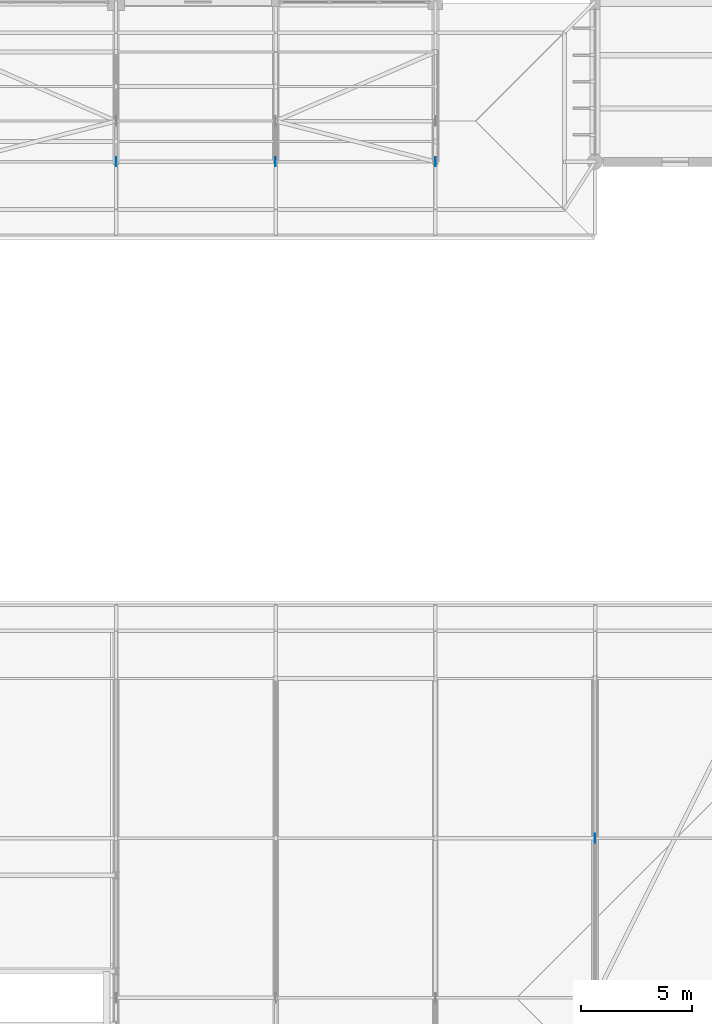
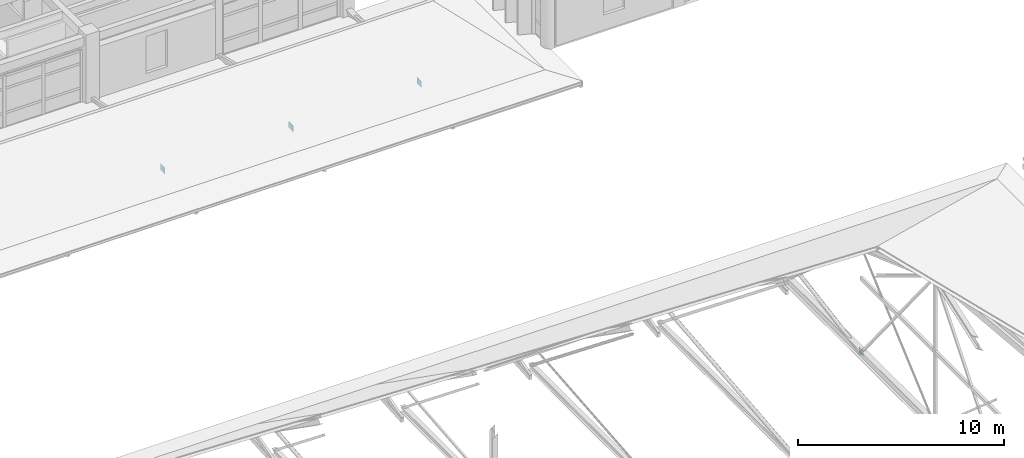
# One storey, part 64 of 100: 4 plates.
"""IFC4 building model written with IfcOpenShell, lengths in metres."""

from ifc_helpers import new_model, si_unit, direction, frame, origin, origin_2d, place, context, subcontext, project, spatial, rectangle, extrude, material, layer, layer_set, type_object, element, save


model = new_model("IFC4")

# Units and contexts
model_context = context("Model", 3, precision=1e-05, world=origin(), true_north=direction((0.0, 1.0)))
body_context = subcontext(model_context, "Body", "Model", "MODEL_VIEW")
ifc_project = project(units=[si_unit("LENGTHUNIT", "METRE"), si_unit("AREAUNIT", "SQUARE_METRE"), si_unit("VOLUMEUNIT", "CUBIC_METRE"), si_unit("PLANEANGLEUNIT", "RADIAN"), si_unit("MASSUNIT", "GRAM", prefix="KILO")], contexts=[model_context])

# Site, building, storey
site_placement = place(None, origin())
site = spatial("IfcSite", under=ifc_project, at=site_placement, CompositionType="ELEMENT")
building_placement = place(site_placement, origin())
building = spatial("IfcBuilding", under=site, at=building_placement, Name="Steenspoor Specialist Clinic", CompositionType="ELEMENT")
storey_placement = place(building_placement, frame((0.0, 0.0, 9.0)))
storey = spatial("IfcBuildingStorey", under=building, at=storey_placement, Name="L02", CompositionType="ELEMENT", Elevation=9.0)

# Plates
ifc_material = material(Name="Steel A572 Grade 50", Category="steel")
ifc_layer_1 = layer(ifc_material, 0.010009765625)
ifc_layer_set_1 = layer_set([ifc_layer_1], Name="Steel A572 Grade 50")
plate_type_1 = type_object("IfcPlateType", Name="PL-CAP-10", PredefinedType="SHEET", material=ifc_layer_set_1)
for number, where, z_axis, x_axis, name in (
    (1, (102.800048828125, 34.64990234375, 0.19140625), (0.0, 0.0, 1.0), (1.0, 0.0, 0.0), "Truss Gusset Plate GP-10"),
    (2, (95.60009765625, 65.14990234375, 0.19140625), (0.0, 0.0, 1.0), (1.0, 0.0, 0.0), "Truss Gusset Plate GP-10"),
):
    element("IfcPlate", number, at=place(storey_placement, frame(where, z_axis=z_axis, x_axis=x_axis)), inside=storey, type_object=plate_type_1, Name=name, PredefinedType="SHEET", context=body_context, shape_type="SweptSolid", body=[
        extrude(rectangle(XDim=0.010009765625, YDim=0.419921875, at=origin_2d()), origin(), (0.0, 0.0, 1.0), 0.360107421875),
    ])
ifc_layer_2 = layer(ifc_material, 0.01611328125)
ifc_layer_set_2 = layer_set([ifc_layer_2], Name="Steel A572 Grade 50")
plate_type_2 = type_object("IfcPlateType", Name="PL-GUS-16", PredefinedType="SHEET", material=ifc_layer_set_2)
plate_1_placement = place(storey_placement, frame((81.199951171875, 65.14990234375, 0.1015625), z_axis=(0.0, 0.0, 1.0), x_axis=(1.0, 0.0, 0.0)))
element("IfcPlate", 3, at=plate_1_placement, inside=storey, type_object=plate_type_2, Name="Truss Gusset Plate GP-16", PredefinedType="SHEET", context=body_context, shape_type="SweptSolid", body=[
    extrude(rectangle(XDim=0.01611328125, YDim=0.419921875, at=origin_2d()), origin(), (0.0, 0.0, 1.0), 0.360107421875),
])
ifc_layer_3 = layer(ifc_material, 0.02392578125)
ifc_layer_set_3 = layer_set([ifc_layer_3], Name="Steel A572 Grade 50")
plate_type_3 = type_object("IfcPlateType", Name="PL-GUS-24", PredefinedType="SHEET", material=ifc_layer_set_3)
plate_2_placement = place(storey_placement, frame((88.39990234375, 65.14990234375, 0.07373046875), z_axis=(0.0, 0.0, 1.0), x_axis=(1.0, 0.0, 0.0)))
element("IfcPlate", 4, at=plate_2_placement, inside=storey, type_object=plate_type_3, Name="Truss Gusset Plate GP-24", PredefinedType="SHEET", context=body_context, shape_type="SweptSolid", body=[
    extrude(rectangle(XDim=0.02392578125, YDim=0.419921875, at=origin_2d()), origin(), (0.0, 0.0, 1.0), 0.360107421875),
])

save(model, "model.ifc")
